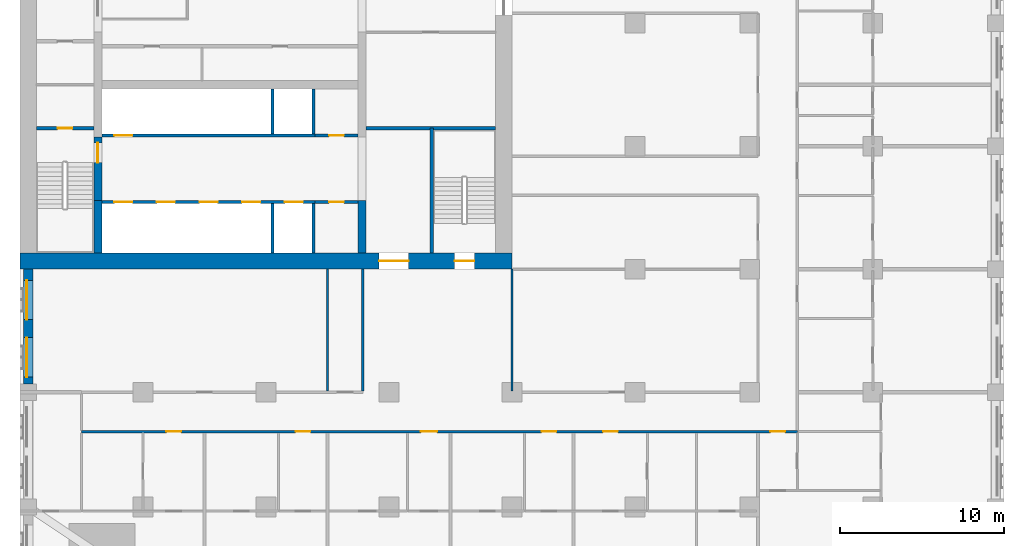
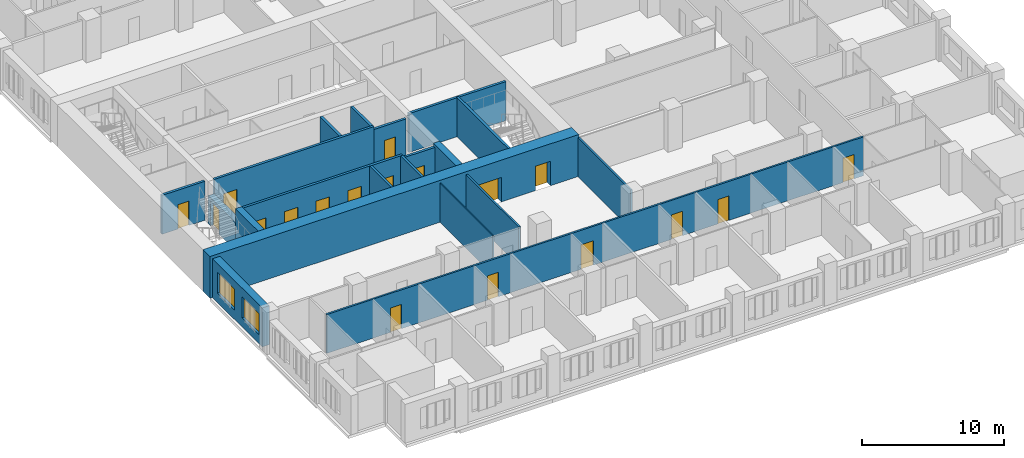
# One storey, part 5 of 14: 20 walls, 18 doors, 2 windows, 20 openings.
"""IFC4 building model written with IfcOpenShell, lengths in metres."""

from ifc_helpers import new_model, si_unit, direction, frame, frame_2d, origin, place, context, subcontext, project, spatial, rectangle, extrude, material, layer, layer_set, type_object, element, fill, save


model = new_model("IFC4")

# Units and contexts
model_context = context("Model", 3, precision=1e-05, world=origin(), true_north=direction((0.0, 1.0)))
body_context = subcontext(model_context, "Body", "Model", "MODEL_VIEW")
ifc_project = project(units=[si_unit("LENGTHUNIT", "METRE"), si_unit("AREAUNIT", "SQUARE_METRE"), si_unit("VOLUMEUNIT", "CUBIC_METRE"), si_unit("PLANEANGLEUNIT", "RADIAN"), si_unit("MASSUNIT", "GRAM", prefix="KILO")], contexts=[model_context])

# Site, building, storey
site_placement = place(None, origin())
site = spatial("IfcSite", under=ifc_project, at=site_placement, CompositionType="ELEMENT")
building_placement = place(site_placement, origin())
building = spatial("IfcBuilding", under=site, at=building_placement, Name="Tamorin Gate", CompositionType="ELEMENT")
storey_placement = place(building_placement, frame((0.0, 0.0, 37.60009765625)))
storey = spatial("IfcBuildingStorey", under=building, at=storey_placement, Name="L07", CompositionType="ELEMENT", Elevation=37.60009765625)

# Wall, openings, windows
ifc_material_1 = material(Name="Precast concrete C40/50", Category="concrete")
ifc_layer_1 = layer(ifc_material_1, 0.60009765625)
ifc_layer_set_1 = layer_set([ifc_layer_1], Name="Precast concrete C40/50")
wall_type_1 = type_object("IfcWallType", Name="Board-marked concrete facade panel 600", PredefinedType="SOLIDWALL", material=ifc_layer_set_1)
wall_1_placement = place(storey_placement, frame((30.5, 60.0, 0.0), z_axis=(0.0, 0.0, 1.0), x_axis=(0.0, -1.0, 0.0)))
wall_1 = element("IfcWall", 1, at=wall_1_placement, inside=storey, type_object=wall_type_1, Name="Facade panel", PredefinedType="SOLIDWALL", context=body_context, shape_type="SweptSolid", body=[
    extrude(rectangle(XDim=7.0, YDim=0.60009765625, at=frame_2d((3.5, 0.0))), origin(), (0.0, 0.0, 1.0), 3.349853515625),
])
opening_1_placement = place(wall_1_placement, frame((4.175048828125, 0.0, 0.800048828125)))
opening_1 = element("IfcOpeningElement", 2, at=opening_1_placement, cuts=wall_1, Name="Opening WN1", PredefinedType="OPENING", context=body_context, shape_type="SweptSolid", body=[
    extrude(rectangle(XDim=2.39990234375, YDim=1.800048828125, at=frame_2d((1.199951171875, 0.89990234375))), frame((0.0, 0.31005859375, 0.0), z_axis=(0.0, -1.0, 0.0), x_axis=(1.0, 0.0, 0.0)), (0.0, 0.0, 1.0), 0.6201171875),
])
opening_2_placement = place(wall_1_placement, frame((0.675048828125, 0.0, 0.800048828125)))
opening_2 = element("IfcOpeningElement", 3, at=opening_2_placement, cuts=wall_1, Name="Opening WN1", PredefinedType="OPENING", context=body_context, shape_type="SweptSolid", body=[
    extrude(rectangle(XDim=2.39990234375, YDim=1.800048828125, at=frame_2d((1.199951171875, 0.89990234375))), frame((0.0, 0.31005859375, 0.0), z_axis=(0.0, -1.0, 0.0), x_axis=(1.0, 0.0, 0.0)), (0.0, 0.0, 1.0), 0.6201171875),
])
ifc_material_2 = material(Name="Clear glass in aluminium frame", Category="aluminium")
window_type = type_object("IfcWindowType", Name="Deep-set window 2400x1800", PartitioningType="SINGLE_PANEL", PredefinedType="WINDOW", material=ifc_material_2)
window_1_placement = place(opening_1_placement, origin())
window_1 = element("IfcWindow", 4, at=window_1_placement, inside=storey, type_object=window_type, Name="Deep-set window", OverallHeight=1.800048828125, OverallWidth=2.39990234375, PartitioningType="SINGLE_PANEL", PredefinedType="WINDOW", context=body_context, shape_type="SweptSolid", body=[
    extrude(rectangle(XDim=2.39990234375, YDim=1.800048828125, at=frame_2d((1.199951171875, 0.89990234375))), frame((0.0, -0.070068359375, 0.0), z_axis=(0.0, -1.0, 0.0), x_axis=(1.0, 0.0, 0.0)), (0.0, 0.0, 1.0), 0.06005859375),
])
fill(opening_1, window_1)
window_2_placement = place(opening_2_placement, origin())
window_2 = element("IfcWindow", 5, at=window_2_placement, inside=storey, type_object=window_type, Name="Deep-set window", OverallHeight=1.800048828125, OverallWidth=2.39990234375, PartitioningType="SINGLE_PANEL", PredefinedType="WINDOW", context=body_context, shape_type="SweptSolid", body=[
    extrude(rectangle(XDim=2.39990234375, YDim=1.800048828125, at=frame_2d((1.199951171875, 0.89990234375))), frame((0.0, -0.070068359375, 0.0), z_axis=(0.0, -1.0, 0.0), x_axis=(1.0, 0.0, 0.0)), (0.0, 0.0, 1.0), 0.06005859375),
])
fill(opening_2, window_2)

# Wall, openings, doors
ifc_material_3 = material(Name="Gypsum board partition")
ifc_layer_2 = layer(ifc_material_3, 0.14990234375)
ifc_layer_set_2 = layer_set([ifc_layer_2], Name="Corridor wall 150")
wall_type_2 = type_object("IfcWallType", Name="Corridor wall 150", PredefinedType="PARTITIONING", material=ifc_layer_set_2)
wall_2_placement = place(storey_placement, frame((33.75, 50.10009765625, 0.0), z_axis=(0.0, 0.0, 1.0), x_axis=(1.0, 0.0, 0.0)))
wall_2 = element("IfcWall", 6, at=wall_2_placement, inside=storey, type_object=wall_type_2, Name="Corridor wall 150", PredefinedType="PARTITIONING", context=body_context, shape_type="SweptSolid", body=[
    extrude(rectangle(XDim=43.64990234375, YDim=0.14990234375, at=frame_2d((21.824951171875, 0.0))), origin(), (0.0, 0.0, 1.0), 3.349853515625),
])
opening_3_placement = place(wall_2_placement, frame((5.175048828125, 0.0, 0.0)))
opening_3 = element("IfcOpeningElement", 7, at=opening_3_placement, cuts=wall_2, Name="Opening DH2003", PredefinedType="OPENING", context=body_context, shape_type="SweptSolid", body=[
    extrude(rectangle(XDim=0.89990234375, YDim=2.10009765625, at=frame_2d((0.449951171875, 1.050048828125))), frame((0.0, 0.0849609375, 0.0), z_axis=(0.0, -1.0, 0.0), x_axis=(1.0, 0.0, 0.0)), (0.0, 0.0, 1.0), 0.169921875),
])
opening_4_placement = place(wall_2_placement, frame((13.050048828125, 0.0, 0.0)))
opening_4 = element("IfcOpeningElement", 8, at=opening_4_placement, cuts=wall_2, Name="Opening DH2006", PredefinedType="OPENING", context=body_context, shape_type="SweptSolid", body=[
    extrude(rectangle(XDim=0.89990234375, YDim=2.10009765625, at=frame_2d((0.449951171875, 1.050048828125))), frame((0.0, 0.0849609375, 0.0), z_axis=(0.0, -1.0, 0.0), x_axis=(1.0, 0.0, 0.0)), (0.0, 0.0, 1.0), 0.169921875),
])
opening_5_placement = place(wall_2_placement, frame((20.6875, 0.0, 0.0)))
opening_5 = element("IfcOpeningElement", 9, at=opening_5_placement, cuts=wall_2, Name="Opening DH2009", PredefinedType="OPENING", context=body_context, shape_type="SweptSolid", body=[
    extrude(rectangle(XDim=1.0, YDim=2.10009765625, at=frame_2d((0.5, 1.050048828125))), frame((0.0, 0.0849609375, 0.0), z_axis=(0.0, -1.0, 0.0), x_axis=(1.0, 0.0, 0.0)), (0.0, 0.0, 1.0), 0.169921875),
])
opening_6_placement = place(wall_2_placement, frame((28.050048828125, 0.0, 0.0)))
opening_6 = element("IfcOpeningElement", 10, at=opening_6_placement, cuts=wall_2, Name="Opening DH2012", PredefinedType="OPENING", context=body_context, shape_type="SweptSolid", body=[
    extrude(rectangle(XDim=0.89990234375, YDim=2.10009765625, at=frame_2d((0.449951171875, 1.050048828125))), frame((0.0, 0.0849609375, 0.0), z_axis=(0.0, -1.0, 0.0), x_axis=(1.0, 0.0, 0.0)), (0.0, 0.0, 1.0), 0.169921875),
])
opening_7_placement = place(wall_2_placement, frame((31.800048828125, 0.0, 0.0)))
opening_7 = element("IfcOpeningElement", 11, at=opening_7_placement, cuts=wall_2, Name="Opening DH2014", PredefinedType="OPENING", context=body_context, shape_type="SweptSolid", body=[
    extrude(rectangle(XDim=0.89990234375, YDim=2.10009765625, at=frame_2d((0.449951171875, 1.050048828125))), frame((0.0, 0.0849609375, 0.0), z_axis=(0.0, -1.0, 0.0), x_axis=(1.0, 0.0, 0.0)), (0.0, 0.0, 1.0), 0.169921875),
])
opening_8_placement = place(wall_2_placement, frame((42.0, 0.0, 0.0)))
opening_8 = element("IfcOpeningElement", 12, at=opening_8_placement, cuts=wall_2, Name="Opening DH2055", PredefinedType="OPENING", context=body_context, shape_type="SweptSolid", body=[
    extrude(rectangle(XDim=0.89990234375, YDim=2.10009765625, at=frame_2d((0.449951171875, 1.050048828125))), frame((0.0, 0.0849609375, 0.0), z_axis=(0.0, -1.0, 0.0), x_axis=(1.0, 0.0, 0.0)), (0.0, 0.0, 1.0), 0.169921875),
])
ifc_material_4 = material(Name="Timber door leaf", Category="wood")
door_type_1 = type_object("IfcDoorType", Name="Door 1000 x 2100 FD30S", OperationType="NOTDEFINED", PredefinedType="DOOR", material=ifc_material_4)
door_1_placement = place(opening_5_placement, origin())
door_1 = element("IfcDoor", 13, at=door_1_placement, inside=storey, type_object=door_type_1, Name="Door DH2009", OperationType="SINGLE_SWING_RIGHT", OverallHeight=2.10009765625, OverallWidth=1.0, PredefinedType="DOOR", context=body_context, shape_type="SweptSolid", body=[
    extrude(rectangle(XDim=1.0, YDim=2.10009765625, at=frame_2d((0.5, 1.050048828125))), frame((0.0, 0.02490234375, 0.0), z_axis=(0.0, -1.0, 0.0), x_axis=(1.0, 0.0, 0.0)), (0.0, 0.0, 1.0), 0.050048828125),
])
fill(opening_5, door_1)
door_type_2 = type_object("IfcDoorType", Name="Door 900 x 2100 FD30S", OperationType="NOTDEFINED", PredefinedType="DOOR", material=ifc_material_4)
door_2_placement = place(opening_3_placement, origin())
door_2 = element("IfcDoor", 14, at=door_2_placement, inside=storey, type_object=door_type_2, Name="Door DH2003", OperationType="SINGLE_SWING_RIGHT", OverallHeight=2.10009765625, OverallWidth=0.89990234375, PredefinedType="DOOR", context=body_context, shape_type="SweptSolid", body=[
    extrude(rectangle(XDim=0.89990234375, YDim=2.10009765625, at=frame_2d((0.449951171875, 1.050048828125))), frame((0.0, 0.02490234375, 0.0), z_axis=(0.0, -1.0, 0.0), x_axis=(1.0, 0.0, 0.0)), (0.0, 0.0, 1.0), 0.050048828125),
])
fill(opening_3, door_2)
door_3_placement = place(opening_4_placement, origin())
door_3 = element("IfcDoor", 15, at=door_3_placement, inside=storey, type_object=door_type_2, Name="Door DH2006", OperationType="SINGLE_SWING_RIGHT", OverallHeight=2.10009765625, OverallWidth=0.89990234375, PredefinedType="DOOR", context=body_context, shape_type="SweptSolid", body=[
    extrude(rectangle(XDim=0.89990234375, YDim=2.10009765625, at=frame_2d((0.449951171875, 1.050048828125))), frame((0.0, 0.02490234375, 0.0), z_axis=(0.0, -1.0, 0.0), x_axis=(1.0, 0.0, 0.0)), (0.0, 0.0, 1.0), 0.050048828125),
])
fill(opening_4, door_3)
door_4_placement = place(opening_6_placement, origin())
door_4 = element("IfcDoor", 16, at=door_4_placement, inside=storey, type_object=door_type_2, Name="Door DH2012", OperationType="SINGLE_SWING_RIGHT", OverallHeight=2.10009765625, OverallWidth=0.89990234375, PredefinedType="DOOR", context=body_context, shape_type="SweptSolid", body=[
    extrude(rectangle(XDim=0.89990234375, YDim=2.10009765625, at=frame_2d((0.449951171875, 1.050048828125))), frame((0.0, 0.02490234375, 0.0), z_axis=(0.0, -1.0, 0.0), x_axis=(1.0, 0.0, 0.0)), (0.0, 0.0, 1.0), 0.050048828125),
])
fill(opening_6, door_4)
door_5_placement = place(opening_7_placement, origin())
door_5 = element("IfcDoor", 17, at=door_5_placement, inside=storey, type_object=door_type_2, Name="Door DH2014", OperationType="SINGLE_SWING_RIGHT", OverallHeight=2.10009765625, OverallWidth=0.89990234375, PredefinedType="DOOR", context=body_context, shape_type="SweptSolid", body=[
    extrude(rectangle(XDim=0.89990234375, YDim=2.10009765625, at=frame_2d((0.449951171875, 1.050048828125))), frame((0.0, 0.02490234375, 0.0), z_axis=(0.0, -1.0, 0.0), x_axis=(1.0, 0.0, 0.0)), (0.0, 0.0, 1.0), 0.050048828125),
])
fill(opening_7, door_5)
door_6_placement = place(opening_8_placement, origin())
door_6 = element("IfcDoor", 18, at=door_6_placement, inside=storey, type_object=door_type_2, Name="Door DH2055", OperationType="SINGLE_SWING_LEFT", OverallHeight=2.10009765625, OverallWidth=0.89990234375, PredefinedType="DOOR", context=body_context, shape_type="SweptSolid", body=[
    extrude(rectangle(XDim=0.89990234375, YDim=2.10009765625, at=frame_2d((0.449951171875, 1.050048828125))), frame((0.0, 0.02490234375, 0.0), z_axis=(0.0, -1.0, 0.0), x_axis=(1.0, 0.0, 0.0)), (0.0, 0.0, 1.0), 0.050048828125),
])
fill(opening_8, door_6)

ifc_material_5 = material(Name="Concrete C32/40", Category="concrete")
ifc_layer_3 = layer(ifc_material_5, 0.199951171875)
ifc_layer_set_3 = layer_set([ifc_layer_3], Name="Lift lobby face wall 200 EI 120")
wall_type_3 = type_object("IfcWallType", Name="Lift lobby face wall 200 EI 120", PredefinedType="SOLIDWALL", material=ifc_layer_set_3)
wall_3_placement = place(storey_placement, frame((35.0, 64.10009765625, 0.0), z_axis=(0.0, 0.0, 1.0), x_axis=(1.0, 0.0, 0.0)))
wall_3 = element("IfcWall", 19, at=wall_3_placement, inside=storey, type_object=wall_type_3, Name="Lift lobby face wall", PredefinedType="SOLIDWALL", context=body_context, shape_type="SweptSolid", body=[
    extrude(rectangle(XDim=13.0, YDim=0.199951171875, at=frame_2d((6.5, 0.0))), origin(), (0.0, 0.0, 1.0), 3.599853515625),
])
opening_9_placement = place(wall_3_placement, frame((0.75, 0.0, 0.0)))
opening_9 = element("IfcOpeningElement", 20, at=opening_9_placement, cuts=wall_3, Name="Opening LD1", PredefinedType="OPENING", context=body_context, shape_type="SweptSolid", body=[
    extrude(rectangle(XDim=1.10009765625, YDim=2.10009765625, at=frame_2d((0.550048828125, 1.050048828125))), frame((0.0, 0.10986328125, 0.0), z_axis=(0.0, -1.0, 0.0), x_axis=(1.0, 0.0, 0.0)), (0.0, 0.0, 1.0), 0.219970703125),
])
opening_10_placement = place(wall_3_placement, frame((3.35009765625, 0.0, 0.0)))
opening_10 = element("IfcOpeningElement", 21, at=opening_10_placement, cuts=wall_3, Name="Opening LD2", PredefinedType="OPENING", context=body_context, shape_type="SweptSolid", body=[
    extrude(rectangle(XDim=1.10009765625, YDim=2.10009765625, at=frame_2d((0.550048828125, 1.050048828125))), frame((0.0, 0.10986328125, 0.0), z_axis=(0.0, -1.0, 0.0), x_axis=(1.0, 0.0, 0.0)), (0.0, 0.0, 1.0), 0.219970703125),
])
opening_11_placement = place(wall_3_placement, frame((5.949951171875, 0.0, 0.0)))
opening_11 = element("IfcOpeningElement", 22, at=opening_11_placement, cuts=wall_3, Name="Opening LD3", PredefinedType="OPENING", context=body_context, shape_type="SweptSolid", body=[
    extrude(rectangle(XDim=1.10009765625, YDim=2.10009765625, at=frame_2d((0.550048828125, 1.050048828125))), frame((0.0, 0.10986328125, 0.0), z_axis=(0.0, -1.0, 0.0), x_axis=(1.0, 0.0, 0.0)), (0.0, 0.0, 1.0), 0.219970703125),
])
opening_12_placement = place(wall_3_placement, frame((8.550048828125, 0.0, 0.0)))
opening_12 = element("IfcOpeningElement", 23, at=opening_12_placement, cuts=wall_3, Name="Opening LD4", PredefinedType="OPENING", context=body_context, shape_type="SweptSolid", body=[
    extrude(rectangle(XDim=1.10009765625, YDim=2.10009765625, at=frame_2d((0.550048828125, 1.050048828125))), frame((0.0, 0.10986328125, 0.0), z_axis=(0.0, -1.0, 0.0), x_axis=(1.0, 0.0, 0.0)), (0.0, 0.0, 1.0), 0.219970703125),
])
opening_13_placement = place(wall_3_placement, frame((11.14990234375, 0.0, 0.0)))
opening_13 = element("IfcOpeningElement", 24, at=opening_13_placement, cuts=wall_3, Name="Opening LD5", PredefinedType="OPENING", context=body_context, shape_type="SweptSolid", body=[
    extrude(rectangle(XDim=1.10009765625, YDim=2.10009765625, at=frame_2d((0.550048828125, 1.050048828125))), frame((0.0, 0.10986328125, 0.0), z_axis=(0.0, -1.0, 0.0), x_axis=(1.0, 0.0, 0.0)), (0.0, 0.0, 1.0), 0.219970703125),
])
ifc_material_6 = material(Name="Stainless steel sliding door", Category="steel")
door_type_3 = type_object("IfcDoorType", Name="Lift landing door 1100 x 2100 E 90", OperationType="DOUBLE_DOOR_SLIDING", PredefinedType="DOOR", material=ifc_material_6)
door_7_placement = place(opening_9_placement, origin())
door_7 = element("IfcDoor", 25, at=door_7_placement, inside=storey, type_object=door_type_3, Name="LR1 landing door", OperationType="DOUBLE_DOOR_SLIDING", OverallHeight=2.10009765625, OverallWidth=1.10009765625, PredefinedType="DOOR", context=body_context, shape_type="SweptSolid", body=[
    extrude(rectangle(XDim=1.10009765625, YDim=2.10009765625, at=frame_2d((0.550048828125, 1.050048828125))), frame((0.0, 0.02490234375, 0.0), z_axis=(0.0, -1.0, 0.0), x_axis=(1.0, 0.0, 0.0)), (0.0, 0.0, 1.0), 0.050048828125),
])
fill(opening_9, door_7)
door_8_placement = place(opening_10_placement, origin())
door_8 = element("IfcDoor", 26, at=door_8_placement, inside=storey, type_object=door_type_3, Name="LR2 landing door", OperationType="DOUBLE_DOOR_SLIDING", OverallHeight=2.10009765625, OverallWidth=1.10009765625, PredefinedType="DOOR", context=body_context, shape_type="SweptSolid", body=[
    extrude(rectangle(XDim=1.10009765625, YDim=2.10009765625, at=frame_2d((0.550048828125, 1.050048828125))), frame((0.0, 0.02490234375, 0.0), z_axis=(0.0, -1.0, 0.0), x_axis=(1.0, 0.0, 0.0)), (0.0, 0.0, 1.0), 0.050048828125),
])
fill(opening_10, door_8)
door_9_placement = place(opening_11_placement, origin())
door_9 = element("IfcDoor", 27, at=door_9_placement, inside=storey, type_object=door_type_3, Name="LR3 landing door", OperationType="DOUBLE_DOOR_SLIDING", OverallHeight=2.10009765625, OverallWidth=1.10009765625, PredefinedType="DOOR", context=body_context, shape_type="SweptSolid", body=[
    extrude(rectangle(XDim=1.10009765625, YDim=2.10009765625, at=frame_2d((0.550048828125, 1.050048828125))), frame((0.0, 0.02490234375, 0.0), z_axis=(0.0, -1.0, 0.0), x_axis=(1.0, 0.0, 0.0)), (0.0, 0.0, 1.0), 0.050048828125),
])
fill(opening_11, door_9)
door_10_placement = place(opening_12_placement, origin())
door_10 = element("IfcDoor", 28, at=door_10_placement, inside=storey, type_object=door_type_3, Name="LR4 landing door", OperationType="DOUBLE_DOOR_SLIDING", OverallHeight=2.10009765625, OverallWidth=1.10009765625, PredefinedType="DOOR", context=body_context, shape_type="SweptSolid", body=[
    extrude(rectangle(XDim=1.10009765625, YDim=2.10009765625, at=frame_2d((0.550048828125, 1.050048828125))), frame((0.0, 0.02490234375, 0.0), z_axis=(0.0, -1.0, 0.0), x_axis=(1.0, 0.0, 0.0)), (0.0, 0.0, 1.0), 0.050048828125),
])
fill(opening_12, door_10)
door_11_placement = place(opening_13_placement, origin())
door_11 = element("IfcDoor", 29, at=door_11_placement, inside=storey, type_object=door_type_3, Name="LR5 landing door", OperationType="DOUBLE_DOOR_SLIDING", OverallHeight=2.10009765625, OverallWidth=1.10009765625, PredefinedType="DOOR", context=body_context, shape_type="SweptSolid", body=[
    extrude(rectangle(XDim=1.10009765625, YDim=2.10009765625, at=frame_2d((0.550048828125, 1.050048828125))), frame((0.0, 0.02490234375, 0.0), z_axis=(0.0, -1.0, 0.0), x_axis=(1.0, 0.0, 0.0)), (0.0, 0.0, 1.0), 0.050048828125),
])
fill(opening_13, door_11)

# Wall, opening, door
wall_4_placement = place(storey_placement, frame((35.0, 68.14990234375, 0.0), z_axis=(0.0, 0.0, 1.0), x_axis=(1.0, 0.0, 0.0)))
wall_4 = element("IfcWall", 30, at=wall_4_placement, inside=storey, type_object=wall_type_3, Name="Lift lobby face wall", PredefinedType="SOLIDWALL", context=body_context, shape_type="SweptSolid", body=[
    extrude(rectangle(XDim=13.0, YDim=0.199951171875, at=frame_2d((6.5, 0.0))), origin(), (0.0, 0.0, 1.0), 3.599853515625),
])
opening_14_placement = place(wall_4_placement, frame((0.75, 0.0, 0.0)))
opening_14 = element("IfcOpeningElement", 31, at=opening_14_placement, cuts=wall_4, Name="Opening LD6", PredefinedType="OPENING", context=body_context, shape_type="SweptSolid", body=[
    extrude(rectangle(XDim=1.10009765625, YDim=2.10009765625, at=frame_2d((0.550048828125, 1.050048828125))), frame((0.0, 0.10986328125, 0.0), z_axis=(0.0, -1.0, 0.0), x_axis=(1.0, 0.0, 0.0)), (0.0, 0.0, 1.0), 0.219970703125),
])
door_12_placement = place(opening_14_placement, origin())
door_12 = element("IfcDoor", 32, at=door_12_placement, inside=storey, type_object=door_type_3, Name="LR6 landing door", OperationType="DOUBLE_DOOR_SLIDING", OverallHeight=2.10009765625, OverallWidth=1.10009765625, PredefinedType="DOOR", context=body_context, shape_type="SweptSolid", body=[
    extrude(rectangle(XDim=1.10009765625, YDim=2.10009765625, at=frame_2d((0.550048828125, 1.050048828125))), frame((0.0, 0.02490234375, 0.0), z_axis=(0.0, -1.0, 0.0), x_axis=(1.0, 0.0, 0.0)), (0.0, 0.0, 1.0), 0.050048828125),
])
fill(opening_14, door_12)

# Walls
ifc_layer_4 = layer(ifc_material_5, 0.199951171875)
ifc_layer_set_4 = layer_set([ifc_layer_4], Name="Lift shaft wall 200 EI 120")
wall_type_4 = type_object("IfcWallType", Name="Lift shaft wall 200 EI 120", PredefinedType="SOLIDWALL", material=ifc_layer_set_4)
for number, where, z_axis, x_axis, name in (
    (33, (45.39990234375, 61.0, 0.0), (0.0, 0.0, 1.0), (0.0, 1.0, 0.0), "Lift shaft wall"),
    (34, (47.89990234375, 61.0, 0.0), (0.0, 0.0, 1.0), (0.0, 1.0, 0.0), "Lift shaft wall"),
):
    element("IfcWall", number, at=place(storey_placement, frame(where, z_axis=z_axis, x_axis=x_axis)), inside=storey, type_object=wall_type_4, Name=name, PredefinedType="SOLIDWALL", context=body_context, shape_type="SweptSolid", body=[
        extrude(rectangle(XDim=3.0, YDim=0.199951171875, at=frame_2d((1.5, 0.0))), origin(), (0.0, 0.0, 1.0), 3.599853515625),
    ])
for number, where, z_axis, x_axis, name in (
    (35, (45.39990234375, 68.25, 0.0), (0.0, 0.0, 1.0), (0.0, 1.0, 0.0), "Lift shaft wall"),
    (36, (47.89990234375, 68.25, 0.0), (0.0, 0.0, 1.0), (0.0, 1.0, 0.0), "Lift shaft wall"),
):
    element("IfcWall", number, at=place(storey_placement, frame(where, z_axis=z_axis, x_axis=x_axis)), inside=storey, type_object=wall_type_4, Name=name, PredefinedType="SOLIDWALL", context=body_context, shape_type="SweptSolid", body=[
        extrude(rectangle(XDim=2.75, YDim=0.199951171875, at=frame_2d((1.375, 0.0))), origin(), (0.0, 0.0, 1.0), 3.599853515625),
    ])
ifc_layer_5 = layer(ifc_material_3, 0.14990234375)
ifc_layer_set_5 = layer_set([ifc_layer_5], Name="Lobby wall 150")
wall_type_5 = type_object("IfcWallType", Name="Lobby wall 150", PredefinedType="PARTITIONING", material=ifc_layer_set_5)
for number, where, z_axis, x_axis, name in (
    (37, (50.89990234375, 52.574951171875, 0.0), (0.0, 0.0, 1.0), (0.0, 1.0, 0.0), "Lobby wall 150"),
    (38, (60.0, 52.574951171875, 0.0), (0.0, 0.0, 1.0), (0.0, 1.0, 0.0), "Lobby wall 150"),
):
    element("IfcWall", number, at=place(storey_placement, frame(where, z_axis=z_axis, x_axis=x_axis)), inside=storey, type_object=wall_type_5, Name=name, PredefinedType="PARTITIONING", context=body_context, shape_type="SweptSolid", body=[
        extrude(rectangle(XDim=7.425048828125, YDim=0.14990234375, at=frame_2d((3.71240234375, 0.0))), origin(), (0.0, 0.0, 1.0), 3.349853515625),
    ])
ifc_material_7 = material(Name="Concrete C80/95", Category="concrete")
ifc_layer_6 = layer(ifc_material_7, 0.5)
ifc_layer_set_6 = layer_set([ifc_layer_6], Name="RC core internal wall 500 C80/95")
wall_type_6 = type_object("IfcWallType", Name="RC core internal wall 500 C80/95", PredefinedType="SHEAR", material=ifc_layer_set_6)
for number, where, z_axis, x_axis, name in (
    (39, (34.75, 61.0, 0.0), (0.0, 0.0, 1.0), (0.0, 1.0, 0.0), "Core cross wall L07"),
    (40, (50.85009765625, 61.0, 0.0), (0.0, 0.0, 1.0), (0.0, 1.0, 0.0), "Core cross wall L07"),
):
    element("IfcWall", number, at=place(storey_placement, frame(where, z_axis=z_axis, x_axis=x_axis)), inside=storey, type_object=wall_type_6, Name=name, PredefinedType="SHEAR", context=body_context, shape_type="SweptSolid", body=[
        extrude(rectangle(XDim=3.199951171875, YDim=0.5, at=frame_2d((1.60009765625, 0.0))), origin(), (0.0, 0.0, 1.0), 3.599853515625),
    ])

# Wall, openings, doors
ifc_layer_7 = layer(ifc_material_7, 1.0)
ifc_layer_set_7 = layer_set([ifc_layer_7], Name="RC core wall 1000 C80/95")
wall_type_7 = type_object("IfcWallType", Name="RC core wall 1000 C80/95", PredefinedType="SHEAR", material=ifc_layer_set_7)
wall_5_placement = place(storey_placement, frame((30.0, 60.5, 0.0), z_axis=(0.0, 0.0, 1.0), x_axis=(1.0, 0.0, 0.0)))
wall_5 = element("IfcWall", 41, at=wall_5_placement, inside=storey, type_object=wall_type_7, Name="Core wall L07", PredefinedType="SHEAR", context=body_context, shape_type="SweptSolid", body=[
    extrude(rectangle(XDim=30.0, YDim=1.0, at=frame_2d((15.0, 0.0))), origin(), (0.0, 0.0, 1.0), 3.599853515625),
])
opening_15_placement = place(wall_5_placement, frame((21.89990234375, 0.0, 0.0)))
opening_15 = element("IfcOpeningElement", 42, at=opening_15_placement, cuts=wall_5, Name="Opening DE1", PredefinedType="OPENING", context=body_context, shape_type="SweptSolid", body=[
    extrude(rectangle(XDim=1.800048828125, YDim=2.10009765625, at=frame_2d((0.89990234375, 1.050048828125))), frame((0.0, 0.510009765625, 0.0), z_axis=(0.0, -1.0, 0.0), x_axis=(1.0, 0.0, 0.0)), (0.0, 0.0, 1.0), 1.02001953125),
])
opening_16_placement = place(wall_5_placement, frame((26.5, 0.0, 0.0)))
opening_16 = element("IfcOpeningElement", 43, at=opening_16_placement, cuts=wall_5, Name="Opening DS1", PredefinedType="OPENING", context=body_context, shape_type="SweptSolid", body=[
    extrude(rectangle(XDim=1.199951171875, YDim=2.10009765625, at=frame_2d((0.60009765625, 1.050048828125))), frame((0.0, 0.510009765625, 0.0), z_axis=(0.0, -1.0, 0.0), x_axis=(1.0, 0.0, 0.0)), (0.0, 0.0, 1.0), 1.02001953125),
])
ifc_material_8 = material(Name="Steel fire door", Category="steel")
door_type_4 = type_object("IfcDoorType", Name="Lobby exit double door 1800 x 2100 EI 60", OperationType="DOUBLE_DOOR_SINGLE_SWING", PredefinedType="DOOR", material=ifc_material_8)
door_13_placement = place(opening_15_placement, origin())
door_13 = element("IfcDoor", 44, at=door_13_placement, inside=storey, type_object=door_type_4, Name="Lift lobby A exit door", OperationType="DOUBLE_DOOR_SINGLE_SWING", OverallHeight=2.10009765625, OverallWidth=1.800048828125, PredefinedType="DOOR", context=body_context, shape_type="SweptSolid", body=[
    extrude(rectangle(XDim=1.800048828125, YDim=2.10009765625, at=frame_2d((0.89990234375, 1.050048828125))), frame((0.0, 0.02490234375, 0.0), z_axis=(0.0, -1.0, 0.0), x_axis=(1.0, 0.0, 0.0)), (0.0, 0.0, 1.0), 0.050048828125),
])
fill(opening_15, door_13)
door_type_5 = type_object("IfcDoorType", Name="Stair door 1200 x 2100 EI 90", OperationType="SINGLE_SWING_LEFT", PredefinedType="DOOR", material=ifc_material_8)
door_14_placement = place(opening_16_placement, origin())
door_14 = element("IfcDoor", 45, at=door_14_placement, inside=storey, type_object=door_type_5, Name="ST3 door", OperationType="SINGLE_SWING_LEFT", OverallHeight=2.10009765625, OverallWidth=1.199951171875, PredefinedType="DOOR", context=body_context, shape_type="SweptSolid", body=[
    extrude(rectangle(XDim=1.199951171875, YDim=2.10009765625, at=frame_2d((0.60009765625, 1.050048828125))), frame((0.0, 0.02490234375, 0.0), z_axis=(0.0, -1.0, 0.0), x_axis=(1.0, 0.0, 0.0)), (0.0, 0.0, 1.0), 0.050048828125),
])
fill(opening_16, door_14)

# Wall
ifc_layer_8 = layer(ifc_material_3, 0.10009765625)
ifc_layer_set_8 = layer_set([ifc_layer_8], Name="Room partition 100")
wall_type_8 = type_object("IfcWallType", Name="Room partition 100", PredefinedType="PARTITIONING", material=ifc_layer_set_8)
wall_6_placement = place(storey_placement, frame((48.75, 52.574951171875, 0.0), z_axis=(0.0, 0.0, 1.0), x_axis=(0.0, 1.0, 0.0)))
element("IfcWall", 46, at=wall_6_placement, inside=storey, type_object=wall_type_8, Name="Room partition 100", PredefinedType="PARTITIONING", context=body_context, shape_type="SweptSolid", body=[
    extrude(rectangle(XDim=7.425048828125, YDim=0.10009765625, at=frame_2d((3.71240234375, 0.0))), origin(), (0.0, 0.0, 1.0), 3.349853515625),
])

# Wall, opening, door
ifc_layer_9 = layer(ifc_material_3, 0.199951171875)
ifc_layer_set_9 = layer_set([ifc_layer_9], Name="Service room face wall 200 EI 60")
wall_type_9 = type_object("IfcWallType", Name="Service room face wall 200 EI 60", PredefinedType="PARTITIONING", material=ifc_layer_set_9)
wall_7_placement = place(storey_placement, frame((48.0, 64.10009765625, 0.0), z_axis=(0.0, 0.0, 1.0), x_axis=(1.0, 0.0, 0.0)))
wall_7 = element("IfcWall", 47, at=wall_7_placement, inside=storey, type_object=wall_type_9, Name="Service room face wall", PredefinedType="PARTITIONING", context=body_context, shape_type="SweptSolid", body=[
    extrude(rectangle(XDim=2.60009765625, YDim=0.199951171875, at=frame_2d((1.300048828125, 0.0))), origin(), (0.0, 0.0, 1.0), 3.349853515625),
])
opening_17_placement = place(wall_7_placement, frame((0.85009765625, 0.0, 0.0)))
opening_17 = element("IfcOpeningElement", 48, at=opening_17_placement, cuts=wall_7, Name="Opening DK1", PredefinedType="OPENING", context=body_context, shape_type="SweptSolid", body=[
    extrude(rectangle(XDim=0.89990234375, YDim=2.10009765625, at=frame_2d((0.449951171875, 1.050048828125))), frame((0.0, 0.10986328125, 0.0), z_axis=(0.0, -1.0, 0.0), x_axis=(1.0, 0.0, 0.0)), (0.0, 0.0, 1.0), 0.219970703125),
])
ifc_material_9 = material(Name="Timber fire door", Category="wood")
door_type_6 = type_object("IfcDoorType", Name="Service room door 900 x 2100 EI 60", OperationType="SINGLE_SWING_LEFT", PredefinedType="DOOR", material=ifc_material_9)
door_15_placement = place(opening_17_placement, origin())
door_15 = element("IfcDoor", 49, at=door_15_placement, inside=storey, type_object=door_type_6, Name="Door Linen store", OperationType="SINGLE_SWING_LEFT", OverallHeight=2.10009765625, OverallWidth=0.89990234375, PredefinedType="DOOR", context=body_context, shape_type="SweptSolid", body=[
    extrude(rectangle(XDim=0.89990234375, YDim=2.10009765625, at=frame_2d((0.449951171875, 1.050048828125))), frame((0.0, 0.02490234375, 0.0), z_axis=(0.0, -1.0, 0.0), x_axis=(1.0, 0.0, 0.0)), (0.0, 0.0, 1.0), 0.050048828125),
])
fill(opening_17, door_15)

wall_8_placement = place(storey_placement, frame((48.0, 68.14990234375, 0.0), z_axis=(0.0, 0.0, 1.0), x_axis=(1.0, 0.0, 0.0)))
wall_8 = element("IfcWall", 50, at=wall_8_placement, inside=storey, type_object=wall_type_9, Name="Service room face wall", PredefinedType="PARTITIONING", context=body_context, shape_type="SweptSolid", body=[
    extrude(rectangle(XDim=2.60009765625, YDim=0.199951171875, at=frame_2d((1.300048828125, 0.0))), origin(), (0.0, 0.0, 1.0), 3.349853515625),
])
opening_18_placement = place(wall_8_placement, frame((0.85009765625, 0.0, 0.0)))
opening_18 = element("IfcOpeningElement", 51, at=opening_18_placement, cuts=wall_8, Name="Opening DK1", PredefinedType="OPENING", context=body_context, shape_type="SweptSolid", body=[
    extrude(rectangle(XDim=0.89990234375, YDim=2.10009765625, at=frame_2d((0.449951171875, 1.050048828125))), frame((0.0, 0.10986328125, 0.0), z_axis=(0.0, -1.0, 0.0), x_axis=(1.0, 0.0, 0.0)), (0.0, 0.0, 1.0), 0.219970703125),
])
door_16_placement = place(opening_18_placement, origin())
door_16 = element("IfcDoor", 52, at=door_16_placement, inside=storey, type_object=door_type_6, Name="Door Vending and ice room", OperationType="SINGLE_SWING_LEFT", OverallHeight=2.10009765625, OverallWidth=0.89990234375, PredefinedType="DOOR", context=body_context, shape_type="SweptSolid", body=[
    extrude(rectangle(XDim=0.89990234375, YDim=2.10009765625, at=frame_2d((0.449951171875, 1.050048828125))), frame((0.0, 0.02490234375, 0.0), z_axis=(0.0, -1.0, 0.0), x_axis=(1.0, 0.0, 0.0)), (0.0, 0.0, 1.0), 0.050048828125),
])
fill(opening_18, door_16)

ifc_material_10 = material(Name="Concrete C40/50", Category="concrete")
ifc_layer_10 = layer(ifc_material_10, 0.199951171875)
ifc_layer_set_10 = layer_set([ifc_layer_10], Name="Stair enclosure wall 200 EI 120 C40/50")
wall_type_10 = type_object("IfcWallType", Name="Stair enclosure wall 200 EI 120 C40/50", PredefinedType="SOLIDWALL", material=ifc_layer_set_10)
wall_9_placement = place(storey_placement, frame((31.0, 68.60009765625, 0.0), z_axis=(0.0, 0.0, 1.0), x_axis=(1.0, 0.0, 0.0)))
wall_9 = element("IfcWall", 53, at=wall_9_placement, inside=storey, type_object=wall_type_10, Name="Stair enclosure wall", PredefinedType="SOLIDWALL", context=body_context, shape_type="SweptSolid", body=[
    extrude(rectangle(XDim=3.5, YDim=0.199951171875, at=frame_2d((1.75, 0.0))), origin(), (0.0, 0.0, 1.0), 3.349853515625),
])
opening_19_placement = place(wall_9_placement, frame((1.300048828125, 0.0, 0.0)))
opening_19 = element("IfcOpeningElement", 54, at=opening_19_placement, cuts=wall_9, Name="Opening DR1", PredefinedType="OPENING", context=body_context, shape_type="SweptSolid", body=[
    extrude(rectangle(XDim=0.89990234375, YDim=2.10009765625, at=frame_2d((0.449951171875, 1.050048828125))), frame((0.0, 0.10986328125, 0.0), z_axis=(0.0, -1.0, 0.0), x_axis=(1.0, 0.0, 0.0)), (0.0, 0.0, 1.0), 0.219970703125),
])
door_type_7 = type_object("IfcDoorType", Name="Riser access door 900 x 2100 EI 120", OperationType="SINGLE_SWING_LEFT", PredefinedType="DOOR", material=ifc_material_8)
door_17_placement = place(opening_19_placement, origin())
door_17 = element("IfcDoor", 55, at=door_17_placement, inside=storey, type_object=door_type_7, Name="Electrical riser door", OperationType="SINGLE_SWING_LEFT", OverallHeight=2.10009765625, OverallWidth=0.89990234375, PredefinedType="DOOR", context=body_context, shape_type="SweptSolid", body=[
    extrude(rectangle(XDim=0.89990234375, YDim=2.10009765625, at=frame_2d((0.449951171875, 1.050048828125))), frame((0.0, 0.02490234375, 0.0), z_axis=(0.0, -1.0, 0.0), x_axis=(1.0, 0.0, 0.0)), (0.0, 0.0, 1.0), 0.050048828125),
])
fill(opening_19, door_17)

# Walls
wall_10_placement = place(storey_placement, frame((55.10009765625, 61.0, 0.0), z_axis=(0.0, 0.0, 1.0), x_axis=(0.0, 1.0, 0.0)))
element("IfcWall", 56, at=wall_10_placement, inside=storey, type_object=wall_type_10, Name="Stair enclosure wall", PredefinedType="SOLIDWALL", context=body_context, shape_type="SweptSolid", body=[
    extrude(rectangle(XDim=7.60009765625, YDim=0.199951171875, at=frame_2d((3.800048828125, 0.0))), origin(), (0.0, 0.0, 1.0), 3.349853515625),
])
wall_11_placement = place(storey_placement, frame((51.10009765625, 68.60009765625, 0.0), z_axis=(0.0, 0.0, 1.0), x_axis=(1.0, 0.0, 0.0)))
element("IfcWall", 57, at=wall_11_placement, inside=storey, type_object=wall_type_10, Name="Stair enclosure wall", PredefinedType="SOLIDWALL", context=body_context, shape_type="SweptSolid", body=[
    extrude(rectangle(XDim=7.89990234375, YDim=0.199951171875, at=frame_2d((3.949951171875, 0.0))), origin(), (0.0, 0.0, 1.0), 3.349853515625),
])

# Wall, opening, door
ifc_layer_11 = layer(ifc_material_5, 0.5)
ifc_layer_set_11 = layer_set([ifc_layer_11], Name="Stair lobby infill wall 500 EI 120")
wall_type_11 = type_object("IfcWallType", Name="Stair lobby infill wall 500 EI 120", PredefinedType="SOLIDWALL", material=ifc_layer_set_11)
wall_12_placement = place(storey_placement, frame((34.75, 64.199951171875, 0.0), z_axis=(0.0, 0.0, 1.0), x_axis=(0.0, 1.0, 0.0)))
wall_12 = element("IfcWall", 58, at=wall_12_placement, inside=storey, type_object=wall_type_11, Name="Stair lobby infill wall", PredefinedType="SOLIDWALL", context=body_context, shape_type="SweptSolid", body=[
    extrude(rectangle(XDim=3.85009765625, YDim=0.5, at=frame_2d((1.925048828125, 0.0))), origin(), (0.0, 0.0, 1.0), 2.39990234375),
])
opening_20_placement = place(wall_12_placement, frame((2.300048828125, 0.0, 0.0)))
opening_20 = element("IfcOpeningElement", 59, at=opening_20_placement, cuts=wall_12, Name="Opening DS1", PredefinedType="OPENING", context=body_context, shape_type="SweptSolid", body=[
    extrude(rectangle(XDim=1.199951171875, YDim=2.10009765625, at=frame_2d((0.60009765625, 1.050048828125))), frame((0.0, 0.260009765625, 0.0), z_axis=(0.0, -1.0, 0.0), x_axis=(1.0, 0.0, 0.0)), (0.0, 0.0, 1.0), 0.52001953125),
])
door_18_placement = place(opening_20_placement, origin())
door_18 = element("IfcDoor", 60, at=door_18_placement, inside=storey, type_object=door_type_5, Name="ST1 door", OperationType="SINGLE_SWING_LEFT", OverallHeight=2.10009765625, OverallWidth=1.199951171875, PredefinedType="DOOR", context=body_context, shape_type="SweptSolid", body=[
    extrude(rectangle(XDim=1.199951171875, YDim=2.10009765625, at=frame_2d((0.60009765625, 1.050048828125))), frame((0.0, 0.02490234375, 0.0), z_axis=(0.0, -1.0, 0.0), x_axis=(1.0, 0.0, 0.0)), (0.0, 0.0, 1.0), 0.050048828125),
])
fill(opening_20, door_18)

save(model, "model.ifc")
